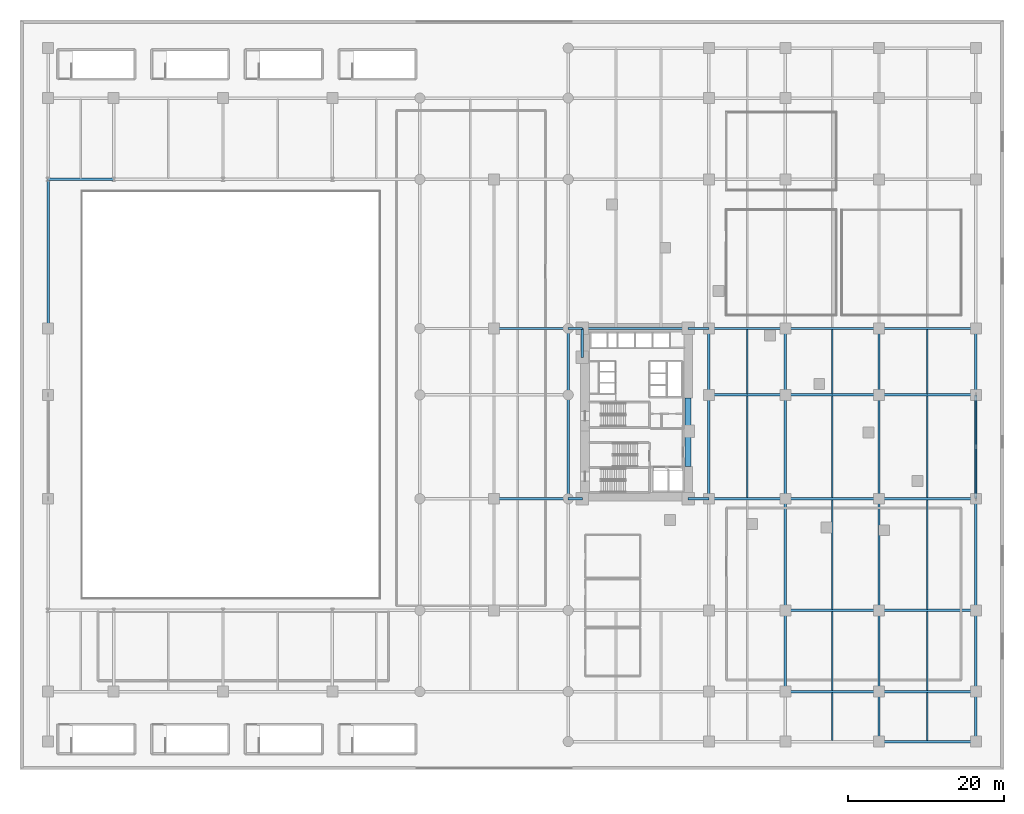
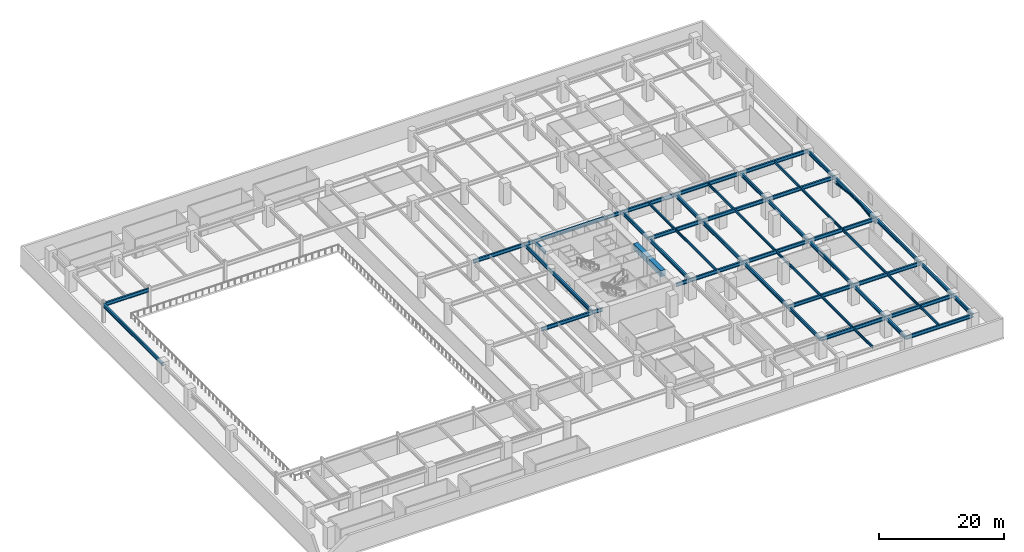
# One storey, part 5 of 20: 56 beams, 2 members.
"""IFC4 building model written with IfcOpenShell, lengths in metres."""

from ifc_helpers import new_model, si_unit, direction, frame, origin, origin_2d, place, context, subcontext, project, spatial, rectangle, hollow_circle, i_section, extrude, material, material_profile, profile_set, type_object, element, save


model = new_model("IFC4")

# Units and contexts
model_context = context("Model", 3, precision=1e-05, world=origin(), true_north=direction((0.0, 1.0)))
body_context = subcontext(model_context, "Body", "Model", "MODEL_VIEW")
ifc_project = project(units=[si_unit("LENGTHUNIT", "METRE"), si_unit("AREAUNIT", "SQUARE_METRE"), si_unit("VOLUMEUNIT", "CUBIC_METRE"), si_unit("PLANEANGLEUNIT", "RADIAN"), si_unit("MASSUNIT", "GRAM", prefix="KILO")], contexts=[model_context])

# Site, building, storey
site_placement = place(None, origin())
site = spatial("IfcSite", under=ifc_project, at=site_placement, CompositionType="ELEMENT")
building_placement = place(site_placement, origin())
building = spatial("IfcBuilding", under=site, at=building_placement, Name="Narakoshi Arena Tower", CompositionType="ELEMENT")
storey_placement = place(building_placement, frame((0.0, 0.0, 17.39990234375)))
storey = spatial("IfcBuildingStorey", under=building, at=storey_placement, Name="L04", CompositionType="ELEMENT", Elevation=17.39990234375)

# Beams
ifc_material_1 = material(Name="Concrete C60/75", Category="concrete")
ifc_material_profile_1 = material_profile(ifc_material_1, rectangle(XDim=0.800048828125, YDim=1.199951171875, at=origin_2d()), Name="RCB800x1200")
ifc_profile_set_1 = profile_set([ifc_material_profile_1], Name="Concrete C60/75")
beam_type_1 = type_object("IfcBeamType", Name="BM-CPL-1200", PredefinedType="LINTEL", material=ifc_profile_set_1)
beam_1_placement = place(storey_placement, frame((85.550048828125, 38.800048828125, 3.10009765625), z_axis=(0.0, 1.0, 0.0), x_axis=(-1.0, 0.0, 0.0)))
element("IfcBeam", 1, at=beam_1_placement, inside=storey, type_object=beam_type_1, Name="L04 Core Seismic Coupling Beam 1", PredefinedType="LINTEL", context=body_context, shape_type="SweptSolid", body=[
    extrude(rectangle(XDim=0.800048828125, YDim=1.199951171875, at=origin_2d()), origin(), (0.0, 0.0, 1.0), 4.550048828125),
])
beam_2_placement = place(storey_placement, frame((85.550048828125, 43.35009765625, 3.10009765625), z_axis=(0.0, 1.0, 0.0), x_axis=(-1.0, 0.0, 0.0)))
element("IfcBeam", 2, at=beam_2_placement, inside=storey, type_object=beam_type_1, Name="L04 Core Seismic Coupling Beam 2", PredefinedType="LINTEL", context=body_context, shape_type="SweptSolid", body=[
    extrude(rectangle(XDim=0.800048828125, YDim=1.199951171875, at=origin_2d()), origin(), (0.0, 0.0, 1.0), 4.25),
])
ifc_material_2 = material(Name="Structural steel S355J2", Category="steel")
ifc_material_profile_2 = material_profile(ifc_material_2, i_section(OverallWidth=0.300048828125, OverallDepth=0.699951171875, WebThickness=0.01708984375, FlangeThickness=0.031982421875, FilletRadius=0.027099609375, at=origin_2d()), Name="HE700B")
ifc_profile_set_2 = profile_set([ifc_material_profile_2], Name="Structural steel S355J2")
beam_type_2 = type_object("IfcBeamType", Name="BM-PRI-700", PredefinedType="BEAM", material=ifc_profile_set_2)
beam_3_placement = place(storey_placement, frame((110.0, 3.60009765625, 3.35009765625), z_axis=(1.0, 0.0, 0.0), x_axis=(0.0, 1.0, 0.0)))
element("IfcBeam", 3, at=beam_3_placement, inside=storey, type_object=beam_type_2, Name="L04 Podium Primary X-Girder 004", PredefinedType="BEAM", context=body_context, shape_type="SweptSolid", body=[
    extrude(i_section(OverallWidth=0.300048828125, OverallDepth=0.699951171875, WebThickness=0.01708984375, FlangeThickness=0.031982421875, FilletRadius=0.027099609375, at=origin_2d()), origin(), (0.0, 0.0, 1.0), 12.39990234375),
])
beam_4_placement = place(storey_placement, frame((98.0, 10.0, 3.35009765625), z_axis=(1.0, 0.0, 0.0), x_axis=(0.0, 1.0, 0.0)))
element("IfcBeam", 4, at=beam_4_placement, inside=storey, type_object=beam_type_2, Name="L04 Podium Primary X-Girder 012", PredefinedType="BEAM", context=body_context, shape_type="SweptSolid", body=[
    extrude(i_section(OverallWidth=0.300048828125, OverallDepth=0.699951171875, WebThickness=0.01708984375, FlangeThickness=0.031982421875, FilletRadius=0.027099609375, at=origin_2d()), origin(), (0.0, 0.0, 1.0), 12.0),
])
beam_5_placement = place(storey_placement, frame((110.0, 10.0, 3.35009765625), z_axis=(1.0, 0.0, 0.0), x_axis=(0.0, 1.0, 0.0)))
element("IfcBeam", 5, at=beam_5_placement, inside=storey, type_object=beam_type_2, Name="L04 Podium Primary X-Girder 013", PredefinedType="BEAM", context=body_context, shape_type="SweptSolid", body=[
    extrude(i_section(OverallWidth=0.300048828125, OverallDepth=0.699951171875, WebThickness=0.01708984375, FlangeThickness=0.031982421875, FilletRadius=0.027099609375, at=origin_2d()), origin(), (0.0, 0.0, 1.0), 12.39990234375),
])
beam_6_placement = place(storey_placement, frame((98.0, 20.39990234375, 3.35009765625), z_axis=(1.0, 0.0, 0.0), x_axis=(0.0, 1.0, 0.0)))
element("IfcBeam", 6, at=beam_6_placement, inside=storey, type_object=beam_type_2, Name="L04 Podium Primary X-Girder 022", PredefinedType="BEAM", context=body_context, shape_type="SweptSolid", body=[
    extrude(i_section(OverallWidth=0.300048828125, OverallDepth=0.699951171875, WebThickness=0.01708984375, FlangeThickness=0.031982421875, FilletRadius=0.027099609375, at=origin_2d()), origin(), (0.0, 0.0, 1.0), 12.0),
])
beam_7_placement = place(storey_placement, frame((110.0, 20.39990234375, 3.35009765625), z_axis=(1.0, 0.0, 0.0), x_axis=(0.0, 1.0, 0.0)))
element("IfcBeam", 7, at=beam_7_placement, inside=storey, type_object=beam_type_2, Name="L04 Podium Primary X-Girder 023", PredefinedType="BEAM", context=body_context, shape_type="SweptSolid", body=[
    extrude(i_section(OverallWidth=0.300048828125, OverallDepth=0.699951171875, WebThickness=0.01708984375, FlangeThickness=0.031982421875, FilletRadius=0.027099609375, at=origin_2d()), origin(), (0.0, 0.0, 1.0), 12.39990234375),
])
beam_8_placement = place(storey_placement, frame((60.699951171875, 34.699951171875, 3.35009765625), z_axis=(1.0, 0.0, 0.0), x_axis=(0.0, 1.0, 0.0)))
element("IfcBeam", 8, at=beam_8_placement, inside=storey, type_object=beam_type_2, Name="L04 Podium Primary X-Girder 025", PredefinedType="BEAM", context=body_context, shape_type="SweptSolid", body=[
    extrude(i_section(OverallWidth=0.300048828125, OverallDepth=0.699951171875, WebThickness=0.01708984375, FlangeThickness=0.031982421875, FilletRadius=0.027099609375, at=origin_2d()), origin(), (0.0, 0.0, 1.0), 9.5),
])
beam_9_placement = place(storey_placement, frame((70.199951171875, 34.699951171875, 3.35009765625), z_axis=(1.0, 0.0, 0.0), x_axis=(0.0, 1.0, 0.0)))
element("IfcBeam", 9, at=beam_9_placement, inside=storey, type_object=beam_type_2, Name="L04 Podium Primary X-Girder 026", PredefinedType="BEAM", context=body_context, shape_type="SweptSolid", body=[
    extrude(i_section(OverallWidth=0.300048828125, OverallDepth=0.699951171875, WebThickness=0.01708984375, FlangeThickness=0.031982421875, FilletRadius=0.027099609375, at=origin_2d()), origin(), (0.0, 0.0, 1.0), 1.800048828125),
])
beam_10_placement = place(storey_placement, frame((85.550048828125, 34.699951171875, 3.35009765625), z_axis=(1.0, 0.0, 0.0), x_axis=(0.0, 1.0, 0.0)))
element("IfcBeam", 10, at=beam_10_placement, inside=storey, type_object=beam_type_2, Name="L04 Podium Primary X-Girder 027", PredefinedType="BEAM", context=body_context, shape_type="SweptSolid", body=[
    extrude(i_section(OverallWidth=0.300048828125, OverallDepth=0.699951171875, WebThickness=0.01708984375, FlangeThickness=0.031982421875, FilletRadius=0.027099609375, at=origin_2d()), origin(), (0.0, 0.0, 1.0), 2.64990234375),
])
beam_11_placement = place(storey_placement, frame((88.199951171875, 34.699951171875, 3.35009765625), z_axis=(1.0, 0.0, 0.0), x_axis=(0.0, 1.0, 0.0)))
element("IfcBeam", 11, at=beam_11_placement, inside=storey, type_object=beam_type_2, Name="L04 Podium Primary X-Girder 028", PredefinedType="BEAM", context=body_context, shape_type="SweptSolid", body=[
    extrude(i_section(OverallWidth=0.300048828125, OverallDepth=0.699951171875, WebThickness=0.01708984375, FlangeThickness=0.031982421875, FilletRadius=0.027099609375, at=origin_2d()), origin(), (0.0, 0.0, 1.0), 9.800048828125),
])
beam_12_placement = place(storey_placement, frame((98.0, 34.699951171875, 3.35009765625), z_axis=(1.0, 0.0, 0.0), x_axis=(0.0, 1.0, 0.0)))
element("IfcBeam", 12, at=beam_12_placement, inside=storey, type_object=beam_type_2, Name="L04 Podium Primary X-Girder 029", PredefinedType="BEAM", context=body_context, shape_type="SweptSolid", body=[
    extrude(i_section(OverallWidth=0.300048828125, OverallDepth=0.699951171875, WebThickness=0.01708984375, FlangeThickness=0.031982421875, FilletRadius=0.027099609375, at=origin_2d()), origin(), (0.0, 0.0, 1.0), 12.0),
])
beam_13_placement = place(storey_placement, frame((110.0, 34.699951171875, 3.35009765625), z_axis=(1.0, 0.0, 0.0), x_axis=(0.0, 1.0, 0.0)))
element("IfcBeam", 13, at=beam_13_placement, inside=storey, type_object=beam_type_2, Name="L04 Podium Primary X-Girder 030", PredefinedType="BEAM", context=body_context, shape_type="SweptSolid", body=[
    extrude(i_section(OverallWidth=0.300048828125, OverallDepth=0.699951171875, WebThickness=0.01708984375, FlangeThickness=0.031982421875, FilletRadius=0.027099609375, at=origin_2d()), origin(), (0.0, 0.0, 1.0), 12.39990234375),
])
beam_14_placement = place(storey_placement, frame((88.199951171875, 48.0, 3.35009765625), z_axis=(1.0, 0.0, 0.0), x_axis=(0.0, 1.0, 0.0)))
element("IfcBeam", 14, at=beam_14_placement, inside=storey, type_object=beam_type_2, Name="L04 Podium Primary X-Girder 032", PredefinedType="BEAM", context=body_context, shape_type="SweptSolid", body=[
    extrude(i_section(OverallWidth=0.300048828125, OverallDepth=0.699951171875, WebThickness=0.01708984375, FlangeThickness=0.031982421875, FilletRadius=0.027099609375, at=origin_2d()), origin(), (0.0, 0.0, 1.0), 9.800048828125),
])
beam_15_placement = place(storey_placement, frame((98.0, 48.0, 3.35009765625), z_axis=(1.0, 0.0, 0.0), x_axis=(0.0, 1.0, 0.0)))
element("IfcBeam", 15, at=beam_15_placement, inside=storey, type_object=beam_type_2, Name="L04 Podium Primary X-Girder 033", PredefinedType="BEAM", context=body_context, shape_type="SweptSolid", body=[
    extrude(i_section(OverallWidth=0.300048828125, OverallDepth=0.699951171875, WebThickness=0.01708984375, FlangeThickness=0.031982421875, FilletRadius=0.027099609375, at=origin_2d()), origin(), (0.0, 0.0, 1.0), 12.0),
])
beam_16_placement = place(storey_placement, frame((110.0, 48.0, 3.35009765625), z_axis=(1.0, 0.0, 0.0), x_axis=(0.0, 1.0, 0.0)))
element("IfcBeam", 16, at=beam_16_placement, inside=storey, type_object=beam_type_2, Name="L04 Podium Primary X-Girder 034", PredefinedType="BEAM", context=body_context, shape_type="SweptSolid", body=[
    extrude(i_section(OverallWidth=0.300048828125, OverallDepth=0.699951171875, WebThickness=0.01708984375, FlangeThickness=0.031982421875, FilletRadius=0.027099609375, at=origin_2d()), origin(), (0.0, 0.0, 1.0), 12.39990234375),
])
beam_17_placement = place(storey_placement, frame((60.699951171875, 56.5, 3.35009765625), z_axis=(1.0, 0.0, 0.0), x_axis=(0.0, 1.0, 0.0)))
element("IfcBeam", 17, at=beam_17_placement, inside=storey, type_object=beam_type_2, Name="L04 Podium Primary X-Girder 036", PredefinedType="BEAM", context=body_context, shape_type="SweptSolid", body=[
    extrude(i_section(OverallWidth=0.300048828125, OverallDepth=0.699951171875, WebThickness=0.01708984375, FlangeThickness=0.031982421875, FilletRadius=0.027099609375, at=origin_2d()), origin(), (0.0, 0.0, 1.0), 9.5),
])
beam_18_placement = place(storey_placement, frame((70.199951171875, 56.5, 3.35009765625), z_axis=(1.0, 0.0, 0.0), x_axis=(0.0, 1.0, 0.0)))
element("IfcBeam", 18, at=beam_18_placement, inside=storey, type_object=beam_type_2, Name="L04 Podium Primary X-Girder 037", PredefinedType="BEAM", context=body_context, shape_type="SweptSolid", body=[
    extrude(i_section(OverallWidth=0.300048828125, OverallDepth=0.699951171875, WebThickness=0.01708984375, FlangeThickness=0.031982421875, FilletRadius=0.027099609375, at=origin_2d()), origin(), (0.0, 0.0, 1.0), 1.800048828125),
])
beam_19_placement = place(storey_placement, frame((72.0, 56.5, 3.35009765625), z_axis=(1.0, 0.0, 0.0), x_axis=(0.0, 1.0, 0.0)))
element("IfcBeam", 19, at=beam_19_placement, inside=storey, type_object=beam_type_2, Name="L04 Podium Primary X-Girder 038", PredefinedType="BEAM", context=body_context, shape_type="SweptSolid", body=[
    extrude(i_section(OverallWidth=0.300048828125, OverallDepth=0.699951171875, WebThickness=0.01708984375, FlangeThickness=0.031982421875, FilletRadius=0.027099609375, at=origin_2d()), origin(), (0.0, 0.0, 1.0), 13.550048828125),
])
beam_20_placement = place(storey_placement, frame((85.550048828125, 56.5, 3.35009765625), z_axis=(1.0, 0.0, 0.0), x_axis=(0.0, 1.0, 0.0)))
element("IfcBeam", 20, at=beam_20_placement, inside=storey, type_object=beam_type_2, Name="L04 Podium Primary X-Girder 039", PredefinedType="BEAM", context=body_context, shape_type="SweptSolid", body=[
    extrude(i_section(OverallWidth=0.300048828125, OverallDepth=0.699951171875, WebThickness=0.01708984375, FlangeThickness=0.031982421875, FilletRadius=0.027099609375, at=origin_2d()), origin(), (0.0, 0.0, 1.0), 2.64990234375),
])
beam_21_placement = place(storey_placement, frame((88.199951171875, 56.5, 3.35009765625), z_axis=(1.0, 0.0, 0.0), x_axis=(0.0, 1.0, 0.0)))
element("IfcBeam", 21, at=beam_21_placement, inside=storey, type_object=beam_type_2, Name="L04 Podium Primary X-Girder 040", PredefinedType="BEAM", context=body_context, shape_type="SweptSolid", body=[
    extrude(i_section(OverallWidth=0.300048828125, OverallDepth=0.699951171875, WebThickness=0.01708984375, FlangeThickness=0.031982421875, FilletRadius=0.027099609375, at=origin_2d()), origin(), (0.0, 0.0, 1.0), 9.800048828125),
])
beam_22_placement = place(storey_placement, frame((98.0, 56.5, 3.35009765625), z_axis=(1.0, 0.0, 0.0), x_axis=(0.0, 1.0, 0.0)))
element("IfcBeam", 22, at=beam_22_placement, inside=storey, type_object=beam_type_2, Name="L04 Podium Primary X-Girder 041", PredefinedType="BEAM", context=body_context, shape_type="SweptSolid", body=[
    extrude(i_section(OverallWidth=0.300048828125, OverallDepth=0.699951171875, WebThickness=0.01708984375, FlangeThickness=0.031982421875, FilletRadius=0.027099609375, at=origin_2d()), origin(), (0.0, 0.0, 1.0), 12.0),
])
beam_23_placement = place(storey_placement, frame((110.0, 56.5, 3.35009765625), z_axis=(1.0, 0.0, 0.0), x_axis=(0.0, 1.0, 0.0)))
element("IfcBeam", 23, at=beam_23_placement, inside=storey, type_object=beam_type_2, Name="L04 Podium Primary X-Girder 042", PredefinedType="BEAM", context=body_context, shape_type="SweptSolid", body=[
    extrude(i_section(OverallWidth=0.300048828125, OverallDepth=0.699951171875, WebThickness=0.01708984375, FlangeThickness=0.031982421875, FilletRadius=0.027099609375, at=origin_2d()), origin(), (0.0, 0.0, 1.0), 12.39990234375),
])
beam_24_placement = place(storey_placement, frame((3.60009765625, 75.60009765625, 3.35009765625), z_axis=(1.0, 0.0, 0.0), x_axis=(0.0, 1.0, 0.0)))
element("IfcBeam", 24, at=beam_24_placement, inside=storey, type_object=beam_type_2, Name="L04 Podium Primary X-Girder 043", PredefinedType="BEAM", context=body_context, shape_type="SweptSolid", body=[
    extrude(i_section(OverallWidth=0.300048828125, OverallDepth=0.699951171875, WebThickness=0.01708984375, FlangeThickness=0.031982421875, FilletRadius=0.027099609375, at=origin_2d()), origin(), (0.0, 0.0, 1.0), 8.39990234375),
])
beam_25_placement = place(storey_placement, frame((3.60009765625, 56.5, 3.35009765625), z_axis=(0.0, 1.0, 0.0), x_axis=(-1.0, 0.0, 0.0)))
element("IfcBeam", 25, at=beam_25_placement, inside=storey, type_object=beam_type_2, Name="L04 Podium Primary Y-Girder 071", PredefinedType="BEAM", context=body_context, shape_type="SweptSolid", body=[
    extrude(i_section(OverallWidth=0.300048828125, OverallDepth=0.699951171875, WebThickness=0.01708984375, FlangeThickness=0.031982421875, FilletRadius=0.027099609375, at=origin_2d()), origin(), (0.0, 0.0, 1.0), 19.10009765625),
])
beam_26_placement = place(storey_placement, frame((70.199951171875, 34.699951171875, 3.35009765625), z_axis=(0.0, 1.0, 0.0), x_axis=(-1.0, 0.0, 0.0)))
element("IfcBeam", 26, at=beam_26_placement, inside=storey, type_object=beam_type_2, Name="L04 Podium Primary Y-Girder 092", PredefinedType="BEAM", context=body_context, shape_type="SweptSolid", body=[
    extrude(i_section(OverallWidth=0.300048828125, OverallDepth=0.699951171875, WebThickness=0.01708984375, FlangeThickness=0.031982421875, FilletRadius=0.027099609375, at=origin_2d()), origin(), (0.0, 0.0, 1.0), 13.300048828125),
])
beam_27_placement = place(storey_placement, frame((70.199951171875, 48.0, 3.35009765625), z_axis=(0.0, 1.0, 0.0), x_axis=(-1.0, 0.0, 0.0)))
element("IfcBeam", 27, at=beam_27_placement, inside=storey, type_object=beam_type_2, Name="L04 Podium Primary Y-Girder 093", PredefinedType="BEAM", context=body_context, shape_type="SweptSolid", body=[
    extrude(i_section(OverallWidth=0.300048828125, OverallDepth=0.699951171875, WebThickness=0.01708984375, FlangeThickness=0.031982421875, FilletRadius=0.027099609375, at=origin_2d()), origin(), (0.0, 0.0, 1.0), 8.5),
])
beam_28_placement = place(storey_placement, frame((72.0, 52.800048828125, 3.35009765625), z_axis=(0.0, 1.0, 0.0), x_axis=(-1.0, 0.0, 0.0)))
element("IfcBeam", 28, at=beam_28_placement, inside=storey, type_object=beam_type_2, Name="L04 Podium Primary Y-Girder 097", PredefinedType="BEAM", context=body_context, shape_type="SweptSolid", body=[
    extrude(i_section(OverallWidth=0.300048828125, OverallDepth=0.699951171875, WebThickness=0.01708984375, FlangeThickness=0.031982421875, FilletRadius=0.027099609375, at=origin_2d()), origin(), (0.0, 0.0, 1.0), 3.699951171875),
])
beam_29_placement = place(storey_placement, frame((88.199951171875, 34.699951171875, 3.35009765625), z_axis=(0.0, 1.0, 0.0), x_axis=(-1.0, 0.0, 0.0)))
element("IfcBeam", 29, at=beam_29_placement, inside=storey, type_object=beam_type_2, Name="L04 Podium Primary Y-Girder 101", PredefinedType="BEAM", context=body_context, shape_type="SweptSolid", body=[
    extrude(i_section(OverallWidth=0.300048828125, OverallDepth=0.699951171875, WebThickness=0.01708984375, FlangeThickness=0.031982421875, FilletRadius=0.027099609375, at=origin_2d()), origin(), (0.0, 0.0, 1.0), 13.300048828125),
])
beam_30_placement = place(storey_placement, frame((88.199951171875, 48.0, 3.35009765625), z_axis=(0.0, 1.0, 0.0), x_axis=(-1.0, 0.0, 0.0)))
element("IfcBeam", 30, at=beam_30_placement, inside=storey, type_object=beam_type_2, Name="L04 Podium Primary Y-Girder 102", PredefinedType="BEAM", context=body_context, shape_type="SweptSolid", body=[
    extrude(i_section(OverallWidth=0.300048828125, OverallDepth=0.699951171875, WebThickness=0.01708984375, FlangeThickness=0.031982421875, FilletRadius=0.027099609375, at=origin_2d()), origin(), (0.0, 0.0, 1.0), 8.5),
])
beam_31_placement = place(storey_placement, frame((98.0, 10.0, 3.35009765625), z_axis=(0.0, 1.0, 0.0), x_axis=(-1.0, 0.0, 0.0)))
element("IfcBeam", 31, at=beam_31_placement, inside=storey, type_object=beam_type_2, Name="L04 Podium Primary Y-Girder 107", PredefinedType="BEAM", context=body_context, shape_type="SweptSolid", body=[
    extrude(i_section(OverallWidth=0.300048828125, OverallDepth=0.699951171875, WebThickness=0.01708984375, FlangeThickness=0.031982421875, FilletRadius=0.027099609375, at=origin_2d()), origin(), (0.0, 0.0, 1.0), 10.39990234375),
])
beam_32_placement = place(storey_placement, frame((98.0, 20.39990234375, 3.35009765625), z_axis=(0.0, 1.0, 0.0), x_axis=(-1.0, 0.0, 0.0)))
element("IfcBeam", 32, at=beam_32_placement, inside=storey, type_object=beam_type_2, Name="L04 Podium Primary Y-Girder 108", PredefinedType="BEAM", context=body_context, shape_type="SweptSolid", body=[
    extrude(i_section(OverallWidth=0.300048828125, OverallDepth=0.699951171875, WebThickness=0.01708984375, FlangeThickness=0.031982421875, FilletRadius=0.027099609375, at=origin_2d()), origin(), (0.0, 0.0, 1.0), 14.300048828125),
])
beam_33_placement = place(storey_placement, frame((98.0, 34.699951171875, 3.35009765625), z_axis=(0.0, 1.0, 0.0), x_axis=(-1.0, 0.0, 0.0)))
element("IfcBeam", 33, at=beam_33_placement, inside=storey, type_object=beam_type_2, Name="L04 Podium Primary Y-Girder 109", PredefinedType="BEAM", context=body_context, shape_type="SweptSolid", body=[
    extrude(i_section(OverallWidth=0.300048828125, OverallDepth=0.699951171875, WebThickness=0.01708984375, FlangeThickness=0.031982421875, FilletRadius=0.027099609375, at=origin_2d()), origin(), (0.0, 0.0, 1.0), 13.300048828125),
])
beam_34_placement = place(storey_placement, frame((98.0, 48.0, 3.35009765625), z_axis=(0.0, 1.0, 0.0), x_axis=(-1.0, 0.0, 0.0)))
element("IfcBeam", 34, at=beam_34_placement, inside=storey, type_object=beam_type_2, Name="L04 Podium Primary Y-Girder 110", PredefinedType="BEAM", context=body_context, shape_type="SweptSolid", body=[
    extrude(i_section(OverallWidth=0.300048828125, OverallDepth=0.699951171875, WebThickness=0.01708984375, FlangeThickness=0.031982421875, FilletRadius=0.027099609375, at=origin_2d()), origin(), (0.0, 0.0, 1.0), 8.5),
])
beam_35_placement = place(storey_placement, frame((110.0, 3.60009765625, 3.35009765625), z_axis=(0.0, 1.0, 0.0), x_axis=(-1.0, 0.0, 0.0)))
element("IfcBeam", 35, at=beam_35_placement, inside=storey, type_object=beam_type_2, Name="L04 Podium Primary Y-Girder 114", PredefinedType="BEAM", context=body_context, shape_type="SweptSolid", body=[
    extrude(i_section(OverallWidth=0.300048828125, OverallDepth=0.699951171875, WebThickness=0.01708984375, FlangeThickness=0.031982421875, FilletRadius=0.027099609375, at=origin_2d()), origin(), (0.0, 0.0, 1.0), 6.39990234375),
])
beam_36_placement = place(storey_placement, frame((110.0, 10.0, 3.35009765625), z_axis=(0.0, 1.0, 0.0), x_axis=(-1.0, 0.0, 0.0)))
element("IfcBeam", 36, at=beam_36_placement, inside=storey, type_object=beam_type_2, Name="L04 Podium Primary Y-Girder 115", PredefinedType="BEAM", context=body_context, shape_type="SweptSolid", body=[
    extrude(i_section(OverallWidth=0.300048828125, OverallDepth=0.699951171875, WebThickness=0.01708984375, FlangeThickness=0.031982421875, FilletRadius=0.027099609375, at=origin_2d()), origin(), (0.0, 0.0, 1.0), 10.39990234375),
])
beam_37_placement = place(storey_placement, frame((110.0, 20.39990234375, 3.35009765625), z_axis=(0.0, 1.0, 0.0), x_axis=(-1.0, 0.0, 0.0)))
element("IfcBeam", 37, at=beam_37_placement, inside=storey, type_object=beam_type_2, Name="L04 Podium Primary Y-Girder 116", PredefinedType="BEAM", context=body_context, shape_type="SweptSolid", body=[
    extrude(i_section(OverallWidth=0.300048828125, OverallDepth=0.699951171875, WebThickness=0.01708984375, FlangeThickness=0.031982421875, FilletRadius=0.027099609375, at=origin_2d()), origin(), (0.0, 0.0, 1.0), 14.300048828125),
])
beam_38_placement = place(storey_placement, frame((110.0, 34.699951171875, 3.35009765625), z_axis=(0.0, 1.0, 0.0), x_axis=(-1.0, 0.0, 0.0)))
element("IfcBeam", 38, at=beam_38_placement, inside=storey, type_object=beam_type_2, Name="L04 Podium Primary Y-Girder 117", PredefinedType="BEAM", context=body_context, shape_type="SweptSolid", body=[
    extrude(i_section(OverallWidth=0.300048828125, OverallDepth=0.699951171875, WebThickness=0.01708984375, FlangeThickness=0.031982421875, FilletRadius=0.027099609375, at=origin_2d()), origin(), (0.0, 0.0, 1.0), 13.300048828125),
])
beam_39_placement = place(storey_placement, frame((110.0, 48.0, 3.35009765625), z_axis=(0.0, 1.0, 0.0), x_axis=(-1.0, 0.0, 0.0)))
element("IfcBeam", 39, at=beam_39_placement, inside=storey, type_object=beam_type_2, Name="L04 Podium Primary Y-Girder 118", PredefinedType="BEAM", context=body_context, shape_type="SweptSolid", body=[
    extrude(i_section(OverallWidth=0.300048828125, OverallDepth=0.699951171875, WebThickness=0.01708984375, FlangeThickness=0.031982421875, FilletRadius=0.027099609375, at=origin_2d()), origin(), (0.0, 0.0, 1.0), 8.5),
])
beam_40_placement = place(storey_placement, frame((122.39990234375, 3.60009765625, 3.35009765625), z_axis=(0.0, 1.0, 0.0), x_axis=(-1.0, 0.0, 0.0)))
element("IfcBeam", 40, at=beam_40_placement, inside=storey, type_object=beam_type_2, Name="L04 Podium Primary Y-Girder 122", PredefinedType="BEAM", context=body_context, shape_type="SweptSolid", body=[
    extrude(i_section(OverallWidth=0.300048828125, OverallDepth=0.699951171875, WebThickness=0.01708984375, FlangeThickness=0.031982421875, FilletRadius=0.027099609375, at=origin_2d()), origin(), (0.0, 0.0, 1.0), 6.39990234375),
])
beam_41_placement = place(storey_placement, frame((122.39990234375, 10.0, 3.35009765625), z_axis=(0.0, 1.0, 0.0), x_axis=(-1.0, 0.0, 0.0)))
element("IfcBeam", 41, at=beam_41_placement, inside=storey, type_object=beam_type_2, Name="L04 Podium Primary Y-Girder 123", PredefinedType="BEAM", context=body_context, shape_type="SweptSolid", body=[
    extrude(i_section(OverallWidth=0.300048828125, OverallDepth=0.699951171875, WebThickness=0.01708984375, FlangeThickness=0.031982421875, FilletRadius=0.027099609375, at=origin_2d()), origin(), (0.0, 0.0, 1.0), 10.39990234375),
])
beam_42_placement = place(storey_placement, frame((122.39990234375, 20.39990234375, 3.35009765625), z_axis=(0.0, 1.0, 0.0), x_axis=(-1.0, 0.0, 0.0)))
element("IfcBeam", 42, at=beam_42_placement, inside=storey, type_object=beam_type_2, Name="L04 Podium Primary Y-Girder 124", PredefinedType="BEAM", context=body_context, shape_type="SweptSolid", body=[
    extrude(i_section(OverallWidth=0.300048828125, OverallDepth=0.699951171875, WebThickness=0.01708984375, FlangeThickness=0.031982421875, FilletRadius=0.027099609375, at=origin_2d()), origin(), (0.0, 0.0, 1.0), 14.300048828125),
])
beam_43_placement = place(storey_placement, frame((122.39990234375, 34.699951171875, 3.35009765625), z_axis=(0.0, 1.0, 0.0), x_axis=(-1.0, 0.0, 0.0)))
element("IfcBeam", 43, at=beam_43_placement, inside=storey, type_object=beam_type_2, Name="L04 Podium Primary Y-Girder 125", PredefinedType="BEAM", context=body_context, shape_type="SweptSolid", body=[
    extrude(i_section(OverallWidth=0.300048828125, OverallDepth=0.699951171875, WebThickness=0.01708984375, FlangeThickness=0.031982421875, FilletRadius=0.027099609375, at=origin_2d()), origin(), (0.0, 0.0, 1.0), 13.300048828125),
])
beam_44_placement = place(storey_placement, frame((122.39990234375, 48.0, 3.35009765625), z_axis=(0.0, 1.0, 0.0), x_axis=(-1.0, 0.0, 0.0)))
element("IfcBeam", 44, at=beam_44_placement, inside=storey, type_object=beam_type_2, Name="L04 Podium Primary Y-Girder 126", PredefinedType="BEAM", context=body_context, shape_type="SweptSolid", body=[
    extrude(i_section(OverallWidth=0.300048828125, OverallDepth=0.699951171875, WebThickness=0.01708984375, FlangeThickness=0.031982421875, FilletRadius=0.027099609375, at=origin_2d()), origin(), (0.0, 0.0, 1.0), 8.5),
])
ifc_material_profile_3 = material_profile(ifc_material_2, i_section(OverallWidth=0.199951171875, OverallDepth=0.5, WebThickness=0.01025390625, FlangeThickness=0.01611328125, FilletRadius=0.02099609375, at=origin_2d()), Name="IPE500")
ifc_profile_set_3 = profile_set([ifc_material_profile_3], Name="Structural steel S355J2")
beam_type_3 = type_object("IfcBeamType", Name="BM-SEC-500", PredefinedType="JOIST", material=ifc_profile_set_3)
beam_45_placement = place(storey_placement, frame((93.10009765625, 34.8349609375, 3.4501953125), z_axis=(0.0, 1.0, 0.0), x_axis=(-1.0, 0.0, 0.0)))
element("IfcBeam", 45, at=beam_45_placement, inside=storey, type_object=beam_type_3, Name="L04 Podium Composite Floor Joist 034", PredefinedType="JOIST", context=body_context, shape_type="SweptSolid", body=[
    extrude(i_section(OverallWidth=0.199951171875, OverallDepth=0.5, WebThickness=0.01025390625, FlangeThickness=0.01611328125, FilletRadius=0.02099609375, at=origin_2d()), origin(), (0.0, 0.0, 1.0), 13.030029296875),
])
beam_46_placement = place(storey_placement, frame((93.10009765625, 48.135009765625, 3.4501953125), z_axis=(0.0, 1.0, 0.0), x_axis=(-1.0, 0.0, 0.0)))
element("IfcBeam", 46, at=beam_46_placement, inside=storey, type_object=beam_type_3, Name="L04 Podium Composite Floor Joist 035", PredefinedType="JOIST", context=body_context, shape_type="SweptSolid", body=[
    extrude(i_section(OverallWidth=0.199951171875, OverallDepth=0.5, WebThickness=0.01025390625, FlangeThickness=0.01611328125, FilletRadius=0.02099609375, at=origin_2d()), origin(), (0.0, 0.0, 1.0), 8.22998046875),
])
beam_47_placement = place(storey_placement, frame((104.0, 3.735107421875, 3.4501953125), z_axis=(0.0, 1.0, 0.0), x_axis=(-1.0, 0.0, 0.0)))
element("IfcBeam", 47, at=beam_47_placement, inside=storey, type_object=beam_type_3, Name="L04 Podium Composite Floor Joist 039", PredefinedType="JOIST", context=body_context, shape_type="SweptSolid", body=[
    extrude(i_section(OverallWidth=0.199951171875, OverallDepth=0.5, WebThickness=0.01025390625, FlangeThickness=0.01611328125, FilletRadius=0.02099609375, at=origin_2d()), origin(), (0.0, 0.0, 1.0), 6.1298828125),
])
beam_48_placement = place(storey_placement, frame((104.0, 10.135009765625, 3.4501953125), z_axis=(0.0, 1.0, 0.0), x_axis=(-1.0, 0.0, 0.0)))
element("IfcBeam", 48, at=beam_48_placement, inside=storey, type_object=beam_type_3, Name="L04 Podium Composite Floor Joist 040", PredefinedType="JOIST", context=body_context, shape_type="SweptSolid", body=[
    extrude(i_section(OverallWidth=0.199951171875, OverallDepth=0.5, WebThickness=0.01025390625, FlangeThickness=0.01611328125, FilletRadius=0.02099609375, at=origin_2d()), origin(), (0.0, 0.0, 1.0), 10.1298828125),
])
beam_49_placement = place(storey_placement, frame((104.0, 20.534912109375, 3.4501953125), z_axis=(0.0, 1.0, 0.0), x_axis=(-1.0, 0.0, 0.0)))
element("IfcBeam", 49, at=beam_49_placement, inside=storey, type_object=beam_type_3, Name="L04 Podium Composite Floor Joist 041", PredefinedType="JOIST", context=body_context, shape_type="SweptSolid", body=[
    extrude(i_section(OverallWidth=0.199951171875, OverallDepth=0.5, WebThickness=0.01025390625, FlangeThickness=0.01611328125, FilletRadius=0.02099609375, at=origin_2d()), origin(), (0.0, 0.0, 1.0), 14.030029296875),
])
beam_50_placement = place(storey_placement, frame((104.0, 34.8349609375, 3.4501953125), z_axis=(0.0, 1.0, 0.0), x_axis=(-1.0, 0.0, 0.0)))
element("IfcBeam", 50, at=beam_50_placement, inside=storey, type_object=beam_type_3, Name="L04 Podium Composite Floor Joist 042", PredefinedType="JOIST", context=body_context, shape_type="SweptSolid", body=[
    extrude(i_section(OverallWidth=0.199951171875, OverallDepth=0.5, WebThickness=0.01025390625, FlangeThickness=0.01611328125, FilletRadius=0.02099609375, at=origin_2d()), origin(), (0.0, 0.0, 1.0), 13.030029296875),
])
beam_51_placement = place(storey_placement, frame((104.0, 48.135009765625, 3.4501953125), z_axis=(0.0, 1.0, 0.0), x_axis=(-1.0, 0.0, 0.0)))
element("IfcBeam", 51, at=beam_51_placement, inside=storey, type_object=beam_type_3, Name="L04 Podium Composite Floor Joist 043", PredefinedType="JOIST", context=body_context, shape_type="SweptSolid", body=[
    extrude(i_section(OverallWidth=0.199951171875, OverallDepth=0.5, WebThickness=0.01025390625, FlangeThickness=0.01611328125, FilletRadius=0.02099609375, at=origin_2d()), origin(), (0.0, 0.0, 1.0), 8.22998046875),
])
beam_52_placement = place(storey_placement, frame((116.199951171875, 3.735107421875, 3.4501953125), z_axis=(0.0, 1.0, 0.0), x_axis=(-1.0, 0.0, 0.0)))
element("IfcBeam", 52, at=beam_52_placement, inside=storey, type_object=beam_type_3, Name="L04 Podium Composite Floor Joist 047", PredefinedType="JOIST", context=body_context, shape_type="SweptSolid", body=[
    extrude(i_section(OverallWidth=0.199951171875, OverallDepth=0.5, WebThickness=0.01025390625, FlangeThickness=0.01611328125, FilletRadius=0.02099609375, at=origin_2d()), origin(), (0.0, 0.0, 1.0), 6.1298828125),
])
beam_53_placement = place(storey_placement, frame((116.199951171875, 10.135009765625, 3.4501953125), z_axis=(0.0, 1.0, 0.0), x_axis=(-1.0, 0.0, 0.0)))
element("IfcBeam", 53, at=beam_53_placement, inside=storey, type_object=beam_type_3, Name="L04 Podium Composite Floor Joist 048", PredefinedType="JOIST", context=body_context, shape_type="SweptSolid", body=[
    extrude(i_section(OverallWidth=0.199951171875, OverallDepth=0.5, WebThickness=0.01025390625, FlangeThickness=0.01611328125, FilletRadius=0.02099609375, at=origin_2d()), origin(), (0.0, 0.0, 1.0), 10.1298828125),
])
beam_54_placement = place(storey_placement, frame((116.199951171875, 20.534912109375, 3.4501953125), z_axis=(0.0, 1.0, 0.0), x_axis=(-1.0, 0.0, 0.0)))
element("IfcBeam", 54, at=beam_54_placement, inside=storey, type_object=beam_type_3, Name="L04 Podium Composite Floor Joist 049", PredefinedType="JOIST", context=body_context, shape_type="SweptSolid", body=[
    extrude(i_section(OverallWidth=0.199951171875, OverallDepth=0.5, WebThickness=0.01025390625, FlangeThickness=0.01611328125, FilletRadius=0.02099609375, at=origin_2d()), origin(), (0.0, 0.0, 1.0), 14.030029296875),
])
beam_55_placement = place(storey_placement, frame((116.199951171875, 34.8349609375, 3.4501953125), z_axis=(0.0, 1.0, 0.0), x_axis=(-1.0, 0.0, 0.0)))
element("IfcBeam", 55, at=beam_55_placement, inside=storey, type_object=beam_type_3, Name="L04 Podium Composite Floor Joist 050", PredefinedType="JOIST", context=body_context, shape_type="SweptSolid", body=[
    extrude(i_section(OverallWidth=0.199951171875, OverallDepth=0.5, WebThickness=0.01025390625, FlangeThickness=0.01611328125, FilletRadius=0.02099609375, at=origin_2d()), origin(), (0.0, 0.0, 1.0), 13.030029296875),
])
beam_56_placement = place(storey_placement, frame((116.199951171875, 48.135009765625, 3.4501953125), z_axis=(0.0, 1.0, 0.0), x_axis=(-1.0, 0.0, 0.0)))
element("IfcBeam", 56, at=beam_56_placement, inside=storey, type_object=beam_type_3, Name="L04 Podium Composite Floor Joist 051", PredefinedType="JOIST", context=body_context, shape_type="SweptSolid", body=[
    extrude(i_section(OverallWidth=0.199951171875, OverallDepth=0.5, WebThickness=0.01025390625, FlangeThickness=0.01611328125, FilletRadius=0.02099609375, at=origin_2d()), origin(), (0.0, 0.0, 1.0), 8.22998046875),
])

# Members
ifc_material_profile_4 = material_profile(ifc_material_2, hollow_circle(Radius=0.161865234375, WallThickness=0.012451171875, at=origin_2d()), Name="CHS323x12")
ifc_profile_set_4 = profile_set([ifc_material_profile_4], Name="Structural steel S355J2")
member_type = type_object("IfcMemberType", Name="MEM-BR-323", PredefinedType="BRACE", material=ifc_profile_set_4)
member_1_placement = place(storey_placement, frame((122.39990234375, 34.699951171875, 2.400146484375), z_axis=(0.0, 0.989950947335, 0.141411180149), x_axis=(-1.0, 0.0, 0.0)))
element("IfcMember", 57, at=member_1_placement, inside=storey, type_object=member_type, Name="L04 Podium Lateral Brace 2A", PredefinedType="BRACE", context=body_context, shape_type="SweptSolid", body=[
    extrude(hollow_circle(Radius=0.161865234375, WallThickness=0.012451171875, at=origin_2d()), origin(), (0.0, 0.0, 1.0), 6.7177734375),
])
member_2_placement = place(storey_placement, frame((122.39990234375, 48.0, 2.400146484375), z_axis=(0.0, -0.989950220537, 0.141416268012), x_axis=(1.0, 0.0, 0.0)))
element("IfcMember", 58, at=member_2_placement, inside=storey, type_object=member_type, Name="L04 Podium Lateral Brace 2B", PredefinedType="BRACE", context=body_context, shape_type="SweptSolid", body=[
    extrude(hollow_circle(Radius=0.161865234375, WallThickness=0.012451171875, at=origin_2d()), origin(), (0.0, 0.0, 1.0), 6.717529296875),
])

save(model, "model.ifc")
